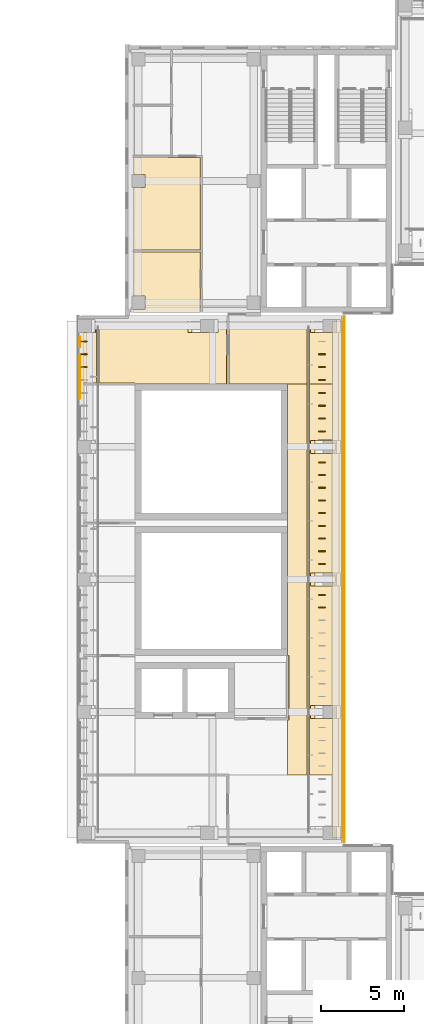
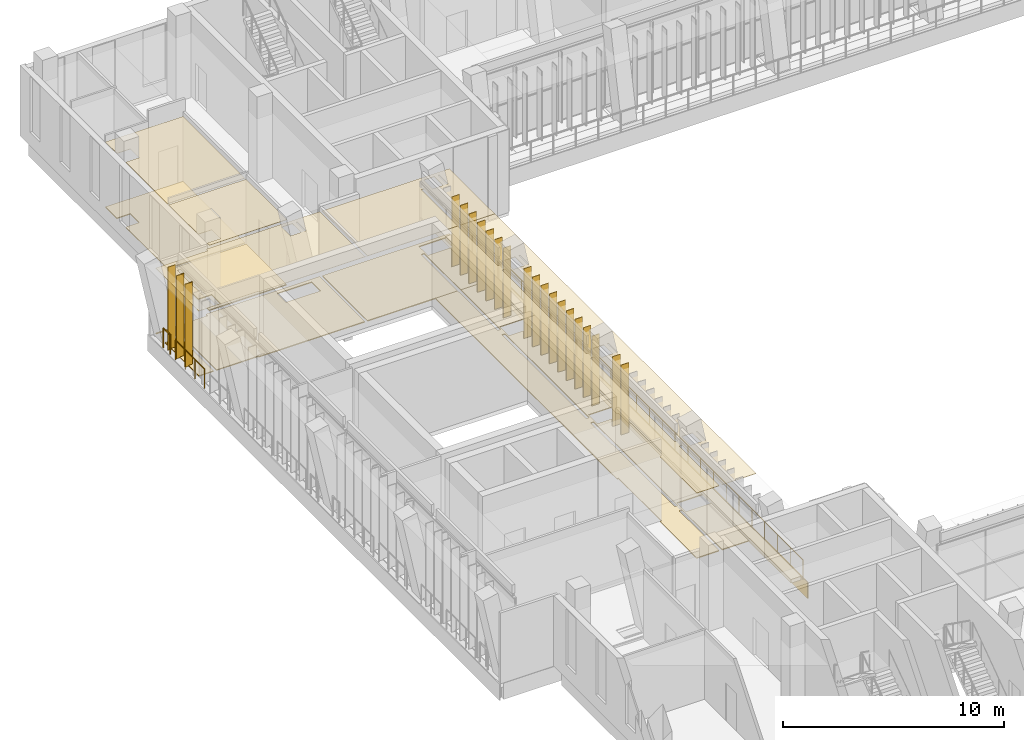
# One storey, part 76 of 89: 21 shading devices, 12 coverings, 3 railings.
"""IFC4 building model written with IfcOpenShell, lengths in metres."""

from ifc_helpers import new_model, si_unit, direction, frame, frame_2d, origin, origin_2d, place, context, subcontext, project, spatial, polyline, rectangle, circle, outline, extrude, material, layer, layer_set, type_object, element, save


model = new_model("IFC4")

# Units and contexts
model_context = context("Model", 3, precision=1e-05, world=origin(), true_north=direction((0.0, 1.0)))
body_context = subcontext(model_context, "Body", "Model", "MODEL_VIEW")
ifc_project = project(units=[si_unit("LENGTHUNIT", "METRE"), si_unit("AREAUNIT", "SQUARE_METRE"), si_unit("VOLUMEUNIT", "CUBIC_METRE"), si_unit("PLANEANGLEUNIT", "RADIAN"), si_unit("MASSUNIT", "GRAM", prefix="KILO")], contexts=[model_context])

# Site, building, storey
site_placement = place(None, origin())
site = spatial("IfcSite", under=ifc_project, at=site_placement, CompositionType="ELEMENT")
building_placement = place(site_placement, origin())
building = spatial("IfcBuilding", under=site, at=building_placement, Name="Lantern Court Media Centre", CompositionType="ELEMENT")
storey_placement = place(building_placement, frame((0.0, 0.0, 14.39990234375)))
storey = spatial("IfcBuildingStorey", under=building, at=storey_placement, Name="L03", CompositionType="ELEMENT", Elevation=14.39990234375)

# Coverings
ifc_material_1 = material(Name="Carpet")
ifc_layer_1 = layer(ifc_material_1, 0.050048828125)
ifc_layer_set_1 = layer_set([ifc_layer_1], Name="Carpet")
covering_type_1 = type_object("IfcCoveringType", Name="Carpet floor finish", PredefinedType="FLOORING", material=ifc_layer_set_1)
covering_1_placement = place(storey_placement, origin())
element("IfcCovering", 1, at=covering_1_placement, inside=storey, type_object=covering_type_1, Name="Projection Room Screen 6 floor finish", PredefinedType="FLOORING", context=body_context, shape_type="SweptSolid", body=[
    extrude(outline(polyline([(13.9326171875, 95.89990234375), (13.9326171875, 91.804931640625), (8.405029296875, 91.804931640625), (8.39990234375, 91.85498046875), (6.22998046875, 91.85498046875), (6.22509765625, 95.10498046875), (6.070068359375, 95.10009765625), (6.070068359375, 91.85498046875), (5.300048828125, 91.85498046875), (5.300048828125, 94.89501953125), (6.0048828125, 94.89990234375), (6.00390625, 95.703125), (5.300048828125, 95.705078125), (5.300048828125, 95.7548828125), (8.00048828125, 95.755126953125), (8.0048828125, 95.89990234375), (13.9326171875, 95.89990234375)]), holes=[polyline([(11.594970703125, 94.89990234375), (13.40185546875, 94.895263671875), (13.404541015625, 95.701904296875), (11.59814453125, 95.70458984375), (11.594970703125, 94.89990234375)])]), origin(), (0.0, 0.0, 1.0), 0.050048828125),
])
covering_2_placement = place(storey_placement, origin())
element("IfcCovering", 2, at=covering_2_placement, inside=storey, type_object=covering_type_1, Name="Media Training Room 05 floor finish", PredefinedType="FLOORING", context=body_context, shape_type="SweptSolid", body=[
    extrude(outline(polyline([(8.300048828125, 105.485107421875), (12.33251953125, 105.472412109375), (12.33251953125, 99.881103515625), (8.300048828125, 99.881103515625), (8.300048828125, 103.64501953125), (9.0048828125, 103.64990234375), (9.00390625, 104.453125), (8.300048828125, 104.455078125), (8.300048828125, 105.485107421875)])), origin(), (0.0, 0.0, 1.0), 0.050048828125),
])
covering_3_placement = place(storey_placement, origin())
element("IfcCovering", 3, at=covering_3_placement, inside=storey, type_object=covering_type_1, Name="Meeting Room 04 floor finish", PredefinedType="FLOORING", context=body_context, shape_type="SweptSolid", body=[
    extrude(outline(polyline([(8.300048828125, 99.77099609375), (12.33251953125, 99.77099609375), (12.33251953125, 96.10009765625), (8.300048828125, 96.10009765625), (8.300048828125, 96.294921875), (9.0048828125, 96.300048828125), (9.00390625, 97.103271484375), (8.300048828125, 97.10498046875), (8.300048828125, 99.77099609375)])), origin(), (0.0, 0.0, 1.0), 0.050048828125),
])

# Railings
ifc_material_2 = material(Name="Powder-coated steel", Category="steel")
railing_type_1 = type_object("IfcRailingType", Name="Floor edge guard 1100", PredefinedType="GUARDRAIL", material=ifc_material_2)
railing_1_placement = place(storey_placement, frame((5.06005859375, 90.93701171875, 0.0)))
element("IfcRailing", 4, at=railing_1_placement, inside=storey, type_object=railing_type_1, Name="L03 edge guard 80", PredefinedType="GUARDRAIL", context=body_context, shape_type="SweptSolid", body=[
    extrude(circle(Radius=0.02392578125, at=origin_2d()), frame((0.0, 0.0, 1.076171875), z_axis=(0.0, 1.0, 0.0), x_axis=(-1.0, 0.0, 0.0)), (0.0, 0.0, 1.0), 2.597900390625),
    extrude(circle(Radius=0.02099609375, at=origin_2d()), origin(), (0.0, 0.0, 1.0), 1.052001953125),
    extrude(circle(Radius=0.02099609375, at=origin_2d()), frame((0.0, 0.865966796875, 0.0)), (0.0, 0.0, 1.0), 1.052001953125),
    extrude(circle(Radius=0.02099609375, at=origin_2d()), frame((0.0, 1.73193359375, 0.0)), (0.0, 0.0, 1.0), 1.052001953125),
    extrude(circle(Radius=0.02099609375, at=origin_2d()), frame((0.0, 2.597900390625, 0.0)), (0.0, 0.0, 1.0), 1.052001953125),
])
railing_2_placement = place(storey_placement, frame((5.06005859375, 94.034912109375, 0.0)))
element("IfcRailing", 5, at=railing_2_placement, inside=storey, type_object=railing_type_1, Name="L03 edge guard 81", PredefinedType="GUARDRAIL", context=body_context, shape_type="SweptSolid", body=[
    extrude(circle(Radius=0.02392578125, at=origin_2d()), frame((0.0, 0.0, 1.076171875), z_axis=(0.0, 1.0, 0.0), x_axis=(-1.0, 0.0, 0.0)), (0.0, 0.0, 1.0), 0.59912109375),
    extrude(circle(Radius=0.02099609375, at=origin_2d()), origin(), (0.0, 0.0, 1.0), 1.052001953125),
    extrude(circle(Radius=0.02099609375, at=origin_2d()), frame((0.0, 0.59912109375, 0.0)), (0.0, 0.0, 1.0), 1.052001953125),
])

# Covering
ifc_material_3 = material(Name="White glass-fibre reinforced cement cladding", Category="concrete")
ifc_layer_2 = layer(ifc_material_3, 0.050048828125)
ifc_layer_set_2 = layer_set([ifc_layer_2], Name="White glass-fibre reinforced cement cladding")
covering_type_2 = type_object("IfcCoveringType", Name="Floor-edge band 50", PredefinedType="CLADDING", material=ifc_layer_set_2)
covering_4_placement = place(storey_placement, frame((21.02490234375, 64.10009765625, -0.89990234375), z_axis=(0.0, 0.0, 1.0), x_axis=(0.0, 1.0, 0.0)))
element("IfcCovering", 6, at=covering_4_placement, inside=storey, type_object=covering_type_2, Name="Floor-edge band W inner L03", PredefinedType="CLADDING", context=body_context, shape_type="SweptSolid", body=[
    extrude(rectangle(XDim=31.7998046875, YDim=0.050048828125, at=frame_2d((15.89990234375, 0.0))), origin(), (0.0, 0.0, 1.0), 0.89990234375),
])

# Railing
ifc_material_4 = material(Name="Painted mild steel balustrade", Category="steel")
railing_type_2 = type_object("IfcRailingType", Name="Guard 1100 steel balustrade", PredefinedType="GUARDRAIL", material=ifc_material_4)
railing_3_placement = place(storey_placement, frame((20.949951171875, 64.39990234375, 0.0)))
element("IfcRailing", 7, at=railing_3_placement, inside=storey, type_object=railing_type_2, Name="Ledge guard W L03", PredefinedType="GUARDRAIL", context=body_context, shape_type="SweptSolid", body=[
    extrude(circle(Radius=0.02392578125, at=origin_2d()), frame((0.0, 0.0, 1.076171875), z_axis=(0.0, 1.0, 0.0), x_axis=(-1.0, 0.0, 0.0)), (0.0, 0.0, 1.0), 31.2001953125),
    extrude(circle(Radius=0.02099609375, at=origin_2d()), origin(), (0.0, 0.0, 1.0), 1.052001953125),
    extrude(circle(Radius=0.02099609375, at=origin_2d()), frame((0.0, 1.155517578125, 0.0)), (0.0, 0.0, 1.0), 1.052001953125),
    extrude(circle(Radius=0.02099609375, at=origin_2d()), frame((0.0, 2.31103515625, 0.0)), (0.0, 0.0, 1.0), 1.052001953125),
    extrude(circle(Radius=0.02099609375, at=origin_2d()), frame((0.0, 3.466796875, 0.0)), (0.0, 0.0, 1.0), 1.052001953125),
    extrude(circle(Radius=0.02099609375, at=origin_2d()), frame((0.0, 4.622314453125, 0.0)), (0.0, 0.0, 1.0), 1.052001953125),
    extrude(circle(Radius=0.02099609375, at=origin_2d()), frame((0.0, 5.77783203125, 0.0)), (0.0, 0.0, 1.0), 1.052001953125),
    extrude(circle(Radius=0.02099609375, at=origin_2d()), frame((0.0, 6.933349609375, 0.0)), (0.0, 0.0, 1.0), 1.052001953125),
    extrude(circle(Radius=0.02099609375, at=origin_2d()), frame((0.0, 8.0888671875, 0.0)), (0.0, 0.0, 1.0), 1.052001953125),
    extrude(circle(Radius=0.02099609375, at=origin_2d()), frame((0.0, 9.244384765625, 0.0)), (0.0, 0.0, 1.0), 1.052001953125),
    extrude(circle(Radius=0.02099609375, at=origin_2d()), frame((0.0, 10.400146484375, 0.0)), (0.0, 0.0, 1.0), 1.052001953125),
    extrude(circle(Radius=0.02099609375, at=origin_2d()), frame((0.0, 11.5556640625, 0.0)), (0.0, 0.0, 1.0), 1.052001953125),
    extrude(circle(Radius=0.02099609375, at=origin_2d()), frame((0.0, 12.711181640625, 0.0)), (0.0, 0.0, 1.0), 1.052001953125),
    extrude(circle(Radius=0.02099609375, at=origin_2d()), frame((0.0, 13.86669921875, 0.0)), (0.0, 0.0, 1.0), 1.052001953125),
    extrude(circle(Radius=0.02099609375, at=origin_2d()), frame((0.0, 15.022216796875, 0.0)), (0.0, 0.0, 1.0), 1.052001953125),
    extrude(circle(Radius=0.02099609375, at=origin_2d()), frame((0.0, 16.177978515625, 0.0)), (0.0, 0.0, 1.0), 1.052001953125),
    extrude(circle(Radius=0.02099609375, at=origin_2d()), frame((0.0, 17.33349609375, 0.0)), (0.0, 0.0, 1.0), 1.052001953125),
    extrude(circle(Radius=0.02099609375, at=origin_2d()), frame((0.0, 18.489013671875, 0.0)), (0.0, 0.0, 1.0), 1.052001953125),
    extrude(circle(Radius=0.02099609375, at=origin_2d()), frame((0.0, 19.64453125, 0.0)), (0.0, 0.0, 1.0), 1.052001953125),
    extrude(circle(Radius=0.02099609375, at=origin_2d()), frame((0.0, 20.800048828125, 0.0)), (0.0, 0.0, 1.0), 1.052001953125),
    extrude(circle(Radius=0.02099609375, at=origin_2d()), frame((0.0, 21.955810546875, 0.0)), (0.0, 0.0, 1.0), 1.052001953125),
    extrude(circle(Radius=0.02099609375, at=origin_2d()), frame((0.0, 23.111328125, 0.0)), (0.0, 0.0, 1.0), 1.052001953125),
    extrude(circle(Radius=0.02099609375, at=origin_2d()), frame((0.0, 24.266845703125, 0.0)), (0.0, 0.0, 1.0), 1.052001953125),
    extrude(circle(Radius=0.02099609375, at=origin_2d()), frame((0.0, 25.42236328125, 0.0)), (0.0, 0.0, 1.0), 1.052001953125),
    extrude(circle(Radius=0.02099609375, at=origin_2d()), frame((0.0, 26.577880859375, 0.0)), (0.0, 0.0, 1.0), 1.052001953125),
    extrude(circle(Radius=0.02099609375, at=origin_2d()), frame((0.0, 27.7333984375, 0.0)), (0.0, 0.0, 1.0), 1.052001953125),
    extrude(circle(Radius=0.02099609375, at=origin_2d()), frame((0.0, 28.88916015625, 0.0)), (0.0, 0.0, 1.0), 1.052001953125),
    extrude(circle(Radius=0.02099609375, at=origin_2d()), frame((0.0, 30.044677734375, 0.0)), (0.0, 0.0, 1.0), 1.052001953125),
    extrude(circle(Radius=0.02099609375, at=origin_2d()), frame((0.0, 31.2001953125, 0.0)), (0.0, 0.0, 1.0), 1.052001953125),
])

# Coverings
ifc_material_5 = material(Name="Planting substrate")
ifc_layer_3 = layer(ifc_material_5, 0.199951171875)
ifc_layer_set_3 = layer_set([ifc_layer_3], Name="Planting substrate")
covering_type_3 = type_object("IfcCoveringType", Name="Planted ledge build-up 200", PredefinedType="ROOFING", material=ifc_layer_set_3)
covering_5_placement = place(storey_placement, origin())
element("IfcCovering", 8, at=covering_5_placement, inside=storey, type_object=covering_type_3, Name="Planted ledge W L03", PredefinedType="ROOFING", context=body_context, shape_type="SweptSolid", body=[
    extrude(outline(polyline([(20.85009765625, 64.39990234375), (20.85009765625, 95.60009765625), (20.320068359375, 95.60009765625), (20.320068359375, 64.39990234375), (20.85009765625, 64.39990234375)])), origin(), (0.0, 0.0, 1.0), 0.2001953125),
])
ifc_material_6 = material(Name="Mineral fibre ceiling tile")
ifc_layer_4 = layer(ifc_material_6, 0.02001953125)
ifc_layer_set_4 = layer_set([ifc_layer_4], Name="Mineral fibre ceiling tile")
covering_type_4 = type_object("IfcCoveringType", Name="Suspended ceiling tile", PredefinedType="CEILING", material=ifc_layer_set_4)
covering_6_placement = place(storey_placement, frame((0.0, 0.0, 3.60009765625)))
element("IfcCovering", 9, at=covering_6_placement, inside=storey, type_object=covering_type_4, Name="Projection Room Screen 6 ceiling", PredefinedType="CEILING", context=body_context, shape_type="SweptSolid", body=[
    extrude(outline(polyline([(14.0, 91.800537109375), (8.400390625, 91.800537109375), (8.39990234375, 91.8505859375), (6.22998046875, 91.8505859375), (6.2255859375, 91.800048828125), (6.22509765625, 95.1005859375), (6.074462890625, 95.10009765625), (6.074462890625, 91.800048828125), (6.070068359375, 91.8505859375), (5.300048828125, 91.8505859375), (5.300048828125, 95.759521484375), (8.0, 95.759521484375), (8.00048828125, 95.89990234375), (13.93701171875, 95.89990234375), (13.93701171875, 91.804931640625), (14.0, 91.800537109375)]), holes=[polyline([(12.6484375, 95.699951171875), (12.599609375, 95.699951171875), (12.599853515625, 94.8994140625), (12.6484375, 94.89990234375), (12.6484375, 95.699951171875)]), polyline([(12.400390625, 95.699951171875), (11.847412109375, 95.7001953125), (11.84765625, 94.899658203125), (12.400390625, 94.899658203125), (12.400390625, 95.699951171875)])]), origin(), (0.0, 0.0, 1.0), 0.02001953125),
])
covering_7_placement = place(storey_placement, frame((0.0, 0.0, 3.60009765625)))
element("IfcCovering", 10, at=covering_7_placement, inside=storey, type_object=covering_type_4, Name="End Lobby ceiling", PredefinedType="CEILING", context=body_context, shape_type="SweptSolid", body=[
    extrude(outline(polyline([(14.0, 91.804443359375), (14.06298828125, 91.804931640625), (14.06298828125, 95.8994140625), (20.699951171875, 95.89990234375), (20.699951171875, 91.800048828125), (18.925537109375, 91.800048828125), (18.925048828125, 95.1005859375), (18.7744140625, 95.10009765625), (18.7744140625, 91.800048828125), (14.0, 91.804443359375)]), holes=[polyline([(20.0478515625, 94.8994140625), (20.04833984375, 95.699951171875), (20.0, 95.700439453125), (19.99951171875, 94.89990234375), (20.0478515625, 94.8994140625)]), polyline([(19.800537109375, 95.699951171875), (19.24755859375, 95.7001953125), (19.24755859375, 94.899658203125), (19.800537109375, 94.899658203125), (19.800537109375, 95.699951171875)])]), origin(), (0.0, 0.0, 1.0), 0.02001953125),
])
covering_8_placement = place(storey_placement, frame((0.0, 0.0, 3.60009765625)))
element("IfcCovering", 11, at=covering_8_placement, inside=storey, type_object=covering_type_4, Name="Cinema Lobby ceiling", PredefinedType="CEILING", context=body_context, shape_type="SweptSolid", body=[
    extrude(outline(polyline([(20.699951171875, 91.800048828125), (20.699951171875, 68.199951171875), (18.925537109375, 68.199951171875), (18.925048828125, 71.800537109375), (18.7744140625, 71.800048828125), (18.7744140625, 68.199951171875), (17.60009765625, 68.199951171875), (17.60009765625, 71.5244140625), (17.675537109375, 71.52490234375), (17.675537109375, 75.39990234375), (17.6005859375, 75.400390625), (17.6005859375, 91.800048828125), (18.7744140625, 91.800048828125), (18.77490234375, 88.199462890625), (18.925537109375, 88.199951171875), (18.925537109375, 91.800048828125), (20.699951171875, 91.800048828125)]), holes=[polyline([(20.0478515625, 79.599609375), (20.04833984375, 80.400146484375), (20.0, 80.400390625), (19.99951171875, 79.599853515625), (20.0478515625, 79.599609375)]), polyline([(20.0478515625, 71.599609375), (20.04833984375, 72.400146484375), (20.0, 72.400390625), (19.99951171875, 71.599853515625), (20.0478515625, 71.599609375)]), polyline([(20.04833984375, 88.39990234375), (19.99951171875, 88.400146484375), (20.0, 87.599609375), (20.04833984375, 87.599853515625), (20.04833984375, 88.39990234375)]), polyline([(19.800537109375, 88.39990234375), (19.24755859375, 88.400390625), (19.24755859375, 87.599609375), (19.800537109375, 87.599609375), (19.800537109375, 88.39990234375)]), polyline([(19.800537109375, 72.39990234375), (19.24755859375, 72.400390625), (19.24755859375, 71.599609375), (19.800537109375, 71.599609375), (19.800537109375, 72.39990234375)]), polyline([(19.247802734375, 80.400390625), (19.24755859375, 79.599609375), (19.80029296875, 79.599609375), (19.800537109375, 80.400390625), (19.247802734375, 80.400390625)]), polyline([(18.7744140625, 72.199951171875), (18.925537109375, 72.199951171875), (18.925048828125, 79.800537109375), (18.7744140625, 79.800048828125), (18.7744140625, 72.199951171875)]), polyline([(18.925048828125, 80.199462890625), (18.925537109375, 87.800048828125), (18.77490234375, 87.800537109375), (18.7744140625, 80.199951171875), (18.925048828125, 80.199462890625)])]), origin(), (0.0, 0.0, 1.0), 0.02001953125),
])
covering_9_placement = place(storey_placement, frame((0.0, 0.0, 3.60009765625)))
element("IfcCovering", 12, at=covering_9_placement, inside=storey, type_object=covering_type_4, Name="Media Training Room 05 ceiling", PredefinedType="CEILING", context=body_context, shape_type="SweptSolid", body=[
    extrude(outline(polyline([(8.300048828125, 105.489501953125), (12.3369140625, 105.47705078125), (12.3369140625, 99.87646484375), (8.300048828125, 99.87646484375), (8.300048828125, 103.6494140625), (9.00048828125, 103.64990234375), (9.00048828125, 104.450439453125), (8.300048828125, 104.450439453125), (8.300048828125, 105.489501953125)])), origin(), (0.0, 0.0, 1.0), 0.02001953125),
])
covering_10_placement = place(storey_placement, frame((0.0, 0.0, 3.60009765625)))
element("IfcCovering", 13, at=covering_10_placement, inside=storey, type_object=covering_type_4, Name="Meeting Room 04 ceiling", PredefinedType="CEILING", context=body_context, shape_type="SweptSolid", body=[
    extrude(outline(polyline([(8.300048828125, 99.775390625), (12.3369140625, 99.775390625), (12.3369140625, 96.10009765625), (8.300048828125, 96.10009765625), (8.300048828125, 96.299560546875), (9.00048828125, 96.300048828125), (9.00048828125, 97.100341796875), (8.300048828125, 97.1005859375), (8.300048828125, 99.775390625)])), origin(), (0.0, 0.0, 1.0), 0.02001953125),
])
ifc_material_7 = material(Name="Terrazzo")
ifc_layer_5 = layer(ifc_material_7, 0.050048828125)
ifc_layer_set_5 = layer_set([ifc_layer_5], Name="Terrazzo")
covering_type_5 = type_object("IfcCoveringType", Name="Terrazzo floor finish", PredefinedType="FLOORING", material=ifc_layer_set_5)
covering_11_placement = place(storey_placement, origin())
element("IfcCovering", 14, at=covering_11_placement, inside=storey, type_object=covering_type_5, Name="End Lobby floor finish", PredefinedType="FLOORING", context=body_context, shape_type="SweptSolid", body=[
    extrude(outline(polyline([(18.77001953125, 91.800048828125), (14.0673828125, 91.804931640625), (14.0673828125, 95.89501953125), (20.699951171875, 95.89990234375), (20.699951171875, 95.705078125), (18.9951171875, 95.699951171875), (18.998046875, 94.895263671875), (20.699951171875, 94.89501953125), (20.699951171875, 91.800048828125), (18.929931640625, 91.800048828125), (18.925048828125, 95.10498046875), (18.77001953125, 95.10009765625), (18.77001953125, 91.800048828125)])), origin(), (0.0, 0.0, 1.0), 0.050048828125),
])
covering_12_placement = place(storey_placement, origin())
element("IfcCovering", 15, at=covering_12_placement, inside=storey, type_object=covering_type_5, Name="Cinema Lobby floor finish", PredefinedType="FLOORING", context=body_context, shape_type="SweptSolid", body=[
    extrude(outline(polyline([(20.699951171875, 68.199951171875), (18.929931640625, 68.199951171875), (18.925048828125, 71.804931640625), (18.77001953125, 71.800048828125), (18.77001953125, 68.199951171875), (17.60009765625, 68.199951171875), (17.60009765625, 71.52001953125), (17.679931640625, 71.52490234375), (17.679931640625, 75.39990234375), (17.60498046875, 75.405029296875), (17.60498046875, 91.800048828125), (18.77001953125, 91.800048828125), (18.77490234375, 88.195068359375), (18.929931640625, 88.199951171875), (18.929931640625, 91.800048828125), (20.699951171875, 91.800048828125), (20.699951171875, 88.405029296875), (18.9951171875, 88.39990234375), (18.998046875, 87.595458984375), (20.699951171875, 87.594970703125), (20.699951171875, 80.405029296875), (18.9951171875, 80.39990234375), (18.998046875, 79.595458984375), (20.699951171875, 79.594970703125), (20.699951171875, 72.405029296875), (18.9951171875, 72.39990234375), (18.998046875, 71.595458984375), (20.699951171875, 71.594970703125), (20.699951171875, 68.199951171875)]), holes=[polyline([(18.925048828125, 80.195068359375), (18.929931640625, 87.800048828125), (18.77490234375, 87.804931640625), (18.77001953125, 80.199951171875), (18.925048828125, 80.195068359375)]), polyline([(18.77001953125, 72.199951171875), (18.929931640625, 72.199951171875), (18.925048828125, 79.804931640625), (18.77001953125, 79.800048828125), (18.77001953125, 72.199951171875)])]), origin(), (0.0, 0.0, 1.0), 0.050048828125),
])

# Shading devices
ifc_material_8 = material(Name="Bronze anodised aluminium louvre", Category="aluminium")
ifc_layer_6 = layer(ifc_material_8, 0.0400390625)
ifc_layer_set_6 = layer_set([ifc_layer_6], Name="Bronze anodised aluminium louvre")
shading_device_type_1 = type_object("IfcShadingDeviceType", Name="Vertical louvre 40x400 full storey", PredefinedType="USERDEFINED", material=ifc_layer_set_6)
for number, where, z_axis, x_axis, name in (
    (16, (5.320068359375, 92.8125, 0.0), (0.0, 0.0, 1.0), (1.0, 0.0, 0.0), "Vertical louvre W outer L03"),
    (17, (5.320068359375, 93.58740234375, 0.0), (0.0, 0.0, 1.0), (1.0, 0.0, 0.0), "Vertical louvre W outer L03"),
    (18, (5.320068359375, 94.362548828125, 0.0), (0.0, 0.0, 1.0), (1.0, 0.0, 0.0), "Vertical louvre W outer L03"),
):
    element("IfcShadingDevice", number, at=place(storey_placement, frame(where, z_axis=z_axis, x_axis=x_axis)), inside=storey, type_object=shading_device_type_1, Name=name, ObjectType="VERTICAL LOUVRE", PredefinedType="USERDEFINED", context=body_context, shape_type="SweptSolid", body=[
        extrude(rectangle(XDim=0.39990234375, YDim=0.0400390625, at=origin_2d()), origin(), (0.0, 0.0, 1.0), 4.580078125),
    ])
ifc_layer_7 = layer(ifc_material_8, 0.0400390625)
ifc_layer_set_7 = layer_set([ifc_layer_7], Name="Bronze anodised aluminium louvre")
shading_device_type_2 = type_object("IfcShadingDeviceType", Name="Vertical louvre 40x400 under beam", PredefinedType="USERDEFINED", material=ifc_layer_set_7)
for number, where, z_axis, x_axis, name in (
    (19, (19.679931640625, 78.300048828125, 0.000244140625), (0.0, 0.0, 1.0), (1.0, 0.0, 0.0), "Vertical louvre W inner L03"),
    (20, (19.679931640625, 79.066650390625, 0.000244140625), (0.0, 0.0, 1.0), (1.0, 0.0, 0.0), "Vertical louvre W inner L03"),
    (21, (19.679931640625, 80.933349609375, 0.000244140625), (0.0, 0.0, 1.0), (1.0, 0.0, 0.0), "Vertical louvre W inner L03"),
    (22, (19.679931640625, 81.699951171875, 0.000244140625), (0.0, 0.0, 1.0), (1.0, 0.0, 0.0), "Vertical louvre W inner L03"),
    (23, (19.679931640625, 82.466552734375, 0.000244140625), (0.0, 0.0, 1.0), (1.0, 0.0, 0.0), "Vertical louvre W inner L03"),
    (24, (19.679931640625, 83.2333984375, 0.000244140625), (0.0, 0.0, 1.0), (1.0, 0.0, 0.0), "Vertical louvre W inner L03"),
    (25, (19.679931640625, 84.0, 0.000244140625), (0.0, 0.0, 1.0), (1.0, 0.0, 0.0), "Vertical louvre W inner L03"),
    (26, (19.679931640625, 84.7666015625, 0.000244140625), (0.0, 0.0, 1.0), (1.0, 0.0, 0.0), "Vertical louvre W inner L03"),
    (27, (19.679931640625, 85.533447265625, 0.000244140625), (0.0, 0.0, 1.0), (1.0, 0.0, 0.0), "Vertical louvre W inner L03"),
    (28, (19.679931640625, 86.300048828125, 0.000244140625), (0.0, 0.0, 1.0), (1.0, 0.0, 0.0), "Vertical louvre W inner L03"),
    (29, (19.679931640625, 87.066650390625, 0.000244140625), (0.0, 0.0, 1.0), (1.0, 0.0, 0.0), "Vertical louvre W inner L03"),
    (30, (19.679931640625, 88.9375, 0.000244140625), (0.0, 0.0, 1.0), (1.0, 0.0, 0.0), "Vertical louvre W inner L03"),
    (31, (19.679931640625, 89.71240234375, 0.000244140625), (0.0, 0.0, 1.0), (1.0, 0.0, 0.0), "Vertical louvre W inner L03"),
    (32, (19.679931640625, 90.487548828125, 0.000244140625), (0.0, 0.0, 1.0), (1.0, 0.0, 0.0), "Vertical louvre W inner L03"),
    (33, (19.679931640625, 91.262451171875, 0.000244140625), (0.0, 0.0, 1.0), (1.0, 0.0, 0.0), "Vertical louvre W inner L03"),
    (34, (19.679931640625, 92.03759765625, 0.000244140625), (0.0, 0.0, 1.0), (1.0, 0.0, 0.0), "Vertical louvre W inner L03"),
    (35, (19.679931640625, 92.8125, 0.000244140625), (0.0, 0.0, 1.0), (1.0, 0.0, 0.0), "Vertical louvre W inner L03"),
    (36, (19.679931640625, 93.58740234375, 0.000244140625), (0.0, 0.0, 1.0), (1.0, 0.0, 0.0), "Vertical louvre W inner L03"),
):
    element("IfcShadingDevice", number, at=place(storey_placement, frame(where, z_axis=z_axis, x_axis=x_axis)), inside=storey, type_object=shading_device_type_2, Name=name, ObjectType="VERTICAL LOUVRE", PredefinedType="USERDEFINED", context=body_context, shape_type="SweptSolid", body=[
        extrude(rectangle(XDim=0.39990234375, YDim=0.0400390625, at=origin_2d()), origin(), (0.0, 0.0, 1.0), 3.89990234375),
    ])

save(model, "model.ifc")
